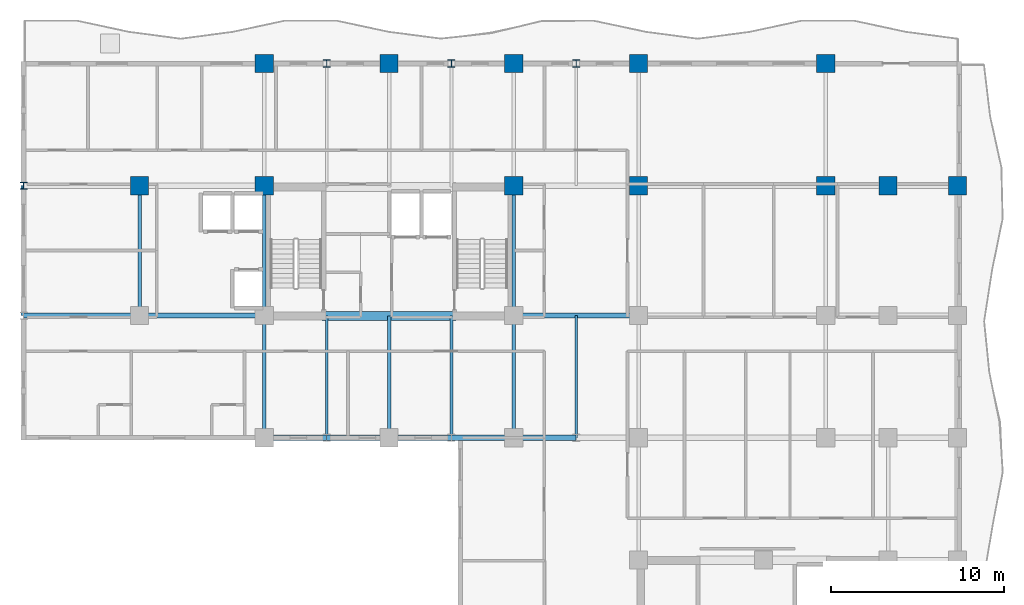
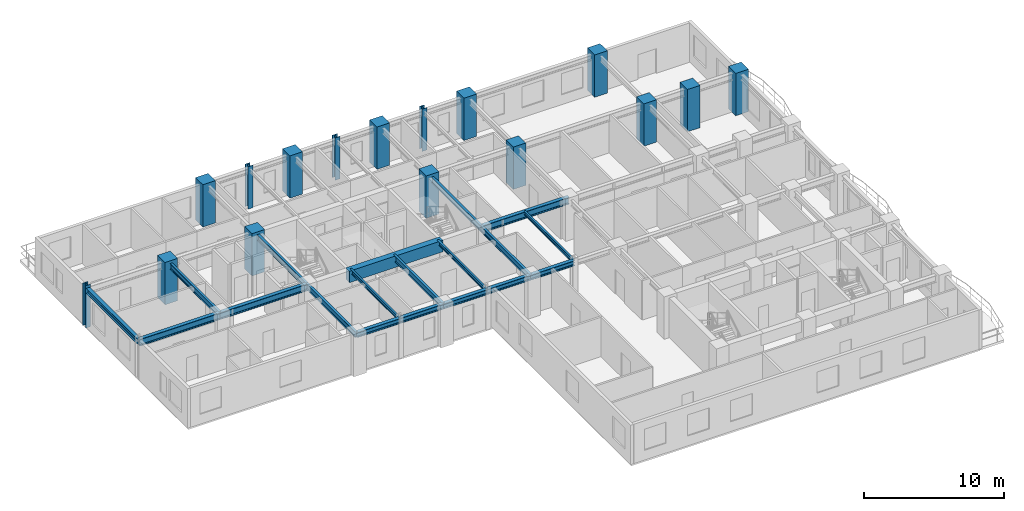
# One storey, part 2 of 12: 19 beams, 16 columns.
"""IFC4 building model written with IfcOpenShell, lengths in metres."""

from ifc_helpers import new_model, si_unit, direction, frame, origin, origin_2d, place, context, subcontext, project, spatial, rectangle, i_section, extrude, source, transform, mapped, material, material_profile, profile_set, type_object, element, save


model = new_model("IFC4")

# Units and contexts
model_context = context("Model", 3, precision=1e-05, world=origin(), true_north=direction((0.0, 1.0)))
body_context = subcontext(model_context, "Body", "Model", "MODEL_VIEW")
ifc_project = project(units=[si_unit("LENGTHUNIT", "METRE"), si_unit("AREAUNIT", "SQUARE_METRE"), si_unit("VOLUMEUNIT", "CUBIC_METRE"), si_unit("PLANEANGLEUNIT", "RADIAN"), si_unit("MASSUNIT", "GRAM", prefix="KILO")], contexts=[model_context])

# Site, building, storey
site_placement = place(None, origin())
site = spatial("IfcSite", under=ifc_project, at=site_placement, CompositionType="ELEMENT")
building_placement = place(site_placement, origin())
building = spatial("IfcBuilding", under=site, at=building_placement, Name="Kaliganga Portal Commons", CompositionType="ELEMENT")
storey_placement = place(building_placement, frame((0.0, 0.0, 147.60009765625)))
storey = spatial("IfcBuildingStorey", under=building, at=storey_placement, Name="L37", CompositionType="ELEMENT", Elevation=147.60009765625)

# Columns
ifc_material_1 = material(Name="Concrete C60/75", Category="concrete")
ifc_material_profile_1 = material_profile(ifc_material_1, rectangle(XDim=1.050048828125, YDim=1.050048828125, at=origin_2d()), Name="RC 1050x1050")
ifc_profile_set_1 = profile_set([ifc_material_profile_1], Name="Concrete C60/75")
column_type_1 = type_object("IfcColumnType", Name="COL-MEGA-Z3", PredefinedType="COLUMN", material=ifc_profile_set_1)
shared_shape_1 = source(origin(), body_context, "Body", "SweptSolid", [
    extrude(rectangle(XDim=1.050048828125, YDim=1.050048828125, at=origin_2d()), origin(), (0.0, 0.0, 1.0), 3.699951171875),
])
for number, where, z_axis, x_axis, name in (
    (1, (7.199951171875, 36.14990234375, 0.0), (0.0, 0.0, 1.0), (1.0, 0.0, 0.0), "Column MC-04 L37"),
    (2, (14.39990234375, 36.14990234375, 0.0), (0.0, 0.0, 1.0), (1.0, 0.0, 0.0), "Column MC-04 L37"),
    (3, (14.39990234375, 43.199951171875, 0.0), (0.0, 0.0, 1.0), (1.0, 0.0, 0.0), "Column MC-04 L37"),
    (4, (21.60009765625, 43.199951171875, 0.0), (0.0, 0.0, 1.0), (1.0, 0.0, 0.0), "Column MC-04 L37"),
    (5, (28.800048828125, 36.14990234375, 0.0), (0.0, 0.0, 1.0), (1.0, 0.0, 0.0), "Column MC-04 L37"),
    (6, (28.800048828125, 43.199951171875, 0.0), (0.0, 0.0, 1.0), (1.0, 0.0, 0.0), "Column MC-04 L37"),
    (7, (36.0, 43.199951171875, 0.0), (0.0, 0.0, 1.0), (1.0, 0.0, 0.0), "Column MC-04 L37"),
    (8, (36.0, 36.14990234375, 0.0), (0.0, 0.0, 1.0), (1.0, 0.0, 0.0), "Column MC-04 L37"),
    (9, (46.800048828125, 36.14990234375, 0.0), (0.0, 0.0, 1.0), (1.0, 0.0, 0.0), "Column MC-04 L37"),
    (10, (46.800048828125, 43.199951171875, 0.0), (0.0, 0.0, 1.0), (1.0, 0.0, 0.0), "Column MC-04 L37"),
    (11, (50.39990234375, 36.14990234375, 0.0), (0.0, 0.0, 1.0), (1.0, 0.0, 0.0), "Column MC-04 L37"),
    (12, (54.39990234375, 36.14990234375, 0.0), (0.0, 0.0, 1.0), (1.0, 0.0, 0.0), "Column MC-04 L37"),
):
    element("IfcColumn", number, at=place(storey_placement, frame(where, z_axis=z_axis, x_axis=x_axis)), inside=storey, type_object=column_type_1, Name=name, PredefinedType="COLUMN", context=body_context, shape_type="MappedRepresentation", body=[
        mapped(shared_shape_1, transform((0.0, 0.0, 0.0), x_axis=(1.0, 0.0, 0.0), y_axis=(0.0, 1.0, 0.0), z_axis=(0.0, 0.0, 1.0), scale=1.0)),
    ])
ifc_material_2 = material(Name="Structural steel S460M", Category="steel")
ifc_material_profile_2 = material_profile(ifc_material_2, i_section(OverallWidth=0.404052734375, OverallDepth=0.4140625, WebThickness=0.0205078125, FlangeThickness=0.028076171875, FilletRadius=0.014892578125, at=origin_2d()), Name="HD 400x347")
ifc_profile_set_2 = profile_set([ifc_material_profile_2], Name="Structural steel S460M wide-flange")
column_type_2 = type_object("IfcColumnType", Name="COL-TUBE-B3", PredefinedType="COLUMN", material=ifc_profile_set_2)
shared_shape_2 = source(origin(), body_context, "Body", "SweptSolid", [
    extrude(i_section(OverallWidth=0.404052734375, OverallDepth=0.4140625, WebThickness=0.0205078125, FlangeThickness=0.028076171875, FilletRadius=0.014892578125, at=origin_2d()), origin(), (0.0, 0.0, 1.0), 3.699951171875),
])
for number, where, z_axis, x_axis, name in (
    (13, (0.5, 36.14990234375, 0.0), (0.0, 0.0, 1.0), (1.0, 0.0, 0.0), "Column TC-03 L37"),
    (14, (18.0, 43.199951171875, 0.0), (0.0, 0.0, 1.0), (1.0, 0.0, 0.0), "Column TC-03 L37"),
    (15, (25.199951171875, 43.199951171875, 0.0), (0.0, 0.0, 1.0), (1.0, 0.0, 0.0), "Column TC-03 L37"),
    (16, (32.39990234375, 43.199951171875, 0.0), (0.0, 0.0, 1.0), (1.0, 0.0, 0.0), "Column TC-03 L37"),
):
    element("IfcColumn", number, at=place(storey_placement, frame(where, z_axis=z_axis, x_axis=x_axis)), inside=storey, type_object=column_type_2, Name=name, PredefinedType="COLUMN", context=body_context, shape_type="MappedRepresentation", body=[
        mapped(shared_shape_2, transform((0.0, 0.0, 0.0), x_axis=(1.0, 0.0, 0.0), y_axis=(0.0, 1.0, 0.0), z_axis=(0.0, 0.0, 1.0), scale=1.0)),
    ])

# Beams
ifc_material_3 = material(Name="Concrete C50/60", Category="concrete")
ifc_material_profile_3 = material_profile(ifc_material_3, rectangle(XDim=0.5, YDim=1.0, at=origin_2d()), Name="RC 500x1000")
ifc_profile_set_3 = profile_set([ifc_material_profile_3], Name="Concrete C50/60")
beam_type_1 = type_object("IfcBeamType", Name="BM-CPL-1000", PredefinedType="LINTEL", material=ifc_profile_set_3)
shared_shape_3 = source(origin(), body_context, "Body", "SweptSolid", [
    extrude(rectangle(XDim=0.5, YDim=1.0, at=origin_2d()), origin(), (0.0, 0.0, 1.0), 7.739990234375),
])
beam_1_placement = place(storey_placement, frame((17.72998046875, 28.625, 2.9599609375), z_axis=(1.0, 0.0, 0.0), x_axis=(0.0, 1.0, 0.0)))
element("IfcBeam", 17, at=beam_1_placement, inside=storey, type_object=beam_type_1, Name="BM CPL COREA L37 S", PredefinedType="LINTEL", context=body_context, shape_type="MappedRepresentation", body=[
    mapped(shared_shape_3, transform((0.0, 0.0, 0.0), x_axis=(1.0, 0.0, 0.0), y_axis=(0.0, 1.0, 0.0), z_axis=(0.0, 0.0, 1.0), scale=1.0)),
])
ifc_material_4 = material(Name="Structural steel S355J2", Category="steel")
ifc_material_profile_4 = material_profile(ifc_material_4, i_section(OverallWidth=0.199951171875, OverallDepth=0.5, WebThickness=0.01025390625, FlangeThickness=0.01611328125, FilletRadius=0.02099609375, at=origin_2d()), Name="IPE 500")
ifc_profile_set_4 = profile_set([ifc_material_profile_4], Name="Structural steel S355J2 wide-flange")
beam_type_2 = type_object("IfcBeamType", Name="BM-FLR-500", PredefinedType="BEAM", material=ifc_profile_set_4)
shared_shape_4 = source(origin(), body_context, "Body", "SweptSolid", [
    extrude(i_section(OverallWidth=0.199951171875, OverallDepth=0.5, WebThickness=0.01025390625, FlangeThickness=0.01611328125, FilletRadius=0.02099609375, at=origin_2d()), origin(), (0.0, 0.0, 1.0), 7.5),
])
for number, where, z_axis, x_axis, name in (
    (18, (7.199951171875, 28.64990234375, 3.2099609375), (0.0, 1.0, 0.0), (-1.0, 0.0, 0.0), "BM G L37 AW72"),
    (19, (14.39990234375, 28.64990234375, 3.2099609375), (0.0, 1.0, 0.0), (-1.0, 0.0, 0.0), "BM G L37 AM144"),
    (20, (28.800048828125, 28.64990234375, 3.2099609375), (0.0, 1.0, 0.0), (-1.0, 0.0, 0.0), "BM G L37 AM288"),
):
    element("IfcBeam", number, at=place(storey_placement, frame(where, z_axis=z_axis, x_axis=x_axis)), inside=storey, type_object=beam_type_2, Name=name, PredefinedType="BEAM", context=body_context, shape_type="MappedRepresentation", body=[
        mapped(shared_shape_4, transform((0.0, 0.0, 0.0), x_axis=(1.0, 0.0, 0.0), y_axis=(0.0, 1.0, 0.0), z_axis=(0.0, 0.0, 1.0), scale=1.0)),
    ])
shared_shape_5 = source(origin(), body_context, "Body", "SweptSolid", [
    extrude(i_section(OverallWidth=0.199951171875, OverallDepth=0.5, WebThickness=0.01025390625, FlangeThickness=0.01611328125, FilletRadius=0.02099609375, at=origin_2d()), origin(), (0.0, 0.0, 1.0), 7.0498046875),
])
for number, where, z_axis, x_axis, name in (
    (21, (14.39990234375, 21.60009765625, 3.2099609375), (0.0, 1.0, 0.0), (-1.0, 0.0, 0.0), "BM G L37 AS144"),
    (22, (28.800048828125, 21.60009765625, 3.2099609375), (0.0, 1.0, 0.0), (-1.0, 0.0, 0.0), "BM G L37 AS288"),
):
    element("IfcBeam", number, at=place(storey_placement, frame(where, z_axis=z_axis, x_axis=x_axis)), inside=storey, type_object=beam_type_2, Name=name, PredefinedType="BEAM", context=body_context, shape_type="MappedRepresentation", body=[
        mapped(shared_shape_5, transform((0.0, 0.0, 0.0), x_axis=(1.0, 0.0, 0.0), y_axis=(0.0, 1.0, 0.0), z_axis=(0.0, 0.0, 1.0), scale=1.0)),
    ])
ifc_material_profile_5 = material_profile(ifc_material_4, i_section(OverallWidth=0.300048828125, OverallDepth=0.449951171875, WebThickness=0.013916015625, FlangeThickness=0.02587890625, FilletRadius=0.027099609375, at=origin_2d()), Name="HE 450 B")
ifc_profile_set_5 = profile_set([ifc_material_profile_5], Name="Structural steel S355J2 wide-flange")
beam_type_3 = type_object("IfcBeamType", Name="BM-SPAND-450", PredefinedType="SPANDREL", material=ifc_profile_set_5)
shared_shape_6 = source(origin(), body_context, "Body", "SweptSolid", [
    extrude(i_section(OverallWidth=0.300048828125, OverallDepth=0.449951171875, WebThickness=0.013916015625, FlangeThickness=0.02587890625, FilletRadius=0.027099609375, at=origin_2d()), origin(), (0.0, 0.0, 1.0), 3.60009765625),
])
for number, where, z_axis, x_axis, name in (
    (23, (14.39990234375, 21.60009765625, 3.23486328125), (1.0, 0.0, 0.0), (0.0, 1.0, 0.0), "BM SP L37 AS 1"),
    (24, (18.0, 21.60009765625, 3.23486328125), (1.0, 0.0, 0.0), (0.0, 1.0, 0.0), "BM SP L37 AS 2"),
    (25, (25.199951171875, 21.60009765625, 3.23486328125), (1.0, 0.0, 0.0), (0.0, 1.0, 0.0), "BM SP L37 AS 4"),
):
    element("IfcBeam", number, at=place(storey_placement, frame(where, z_axis=z_axis, x_axis=x_axis)), inside=storey, type_object=beam_type_3, Name=name, PredefinedType="SPANDREL", context=body_context, shape_type="MappedRepresentation", body=[
        mapped(shared_shape_6, transform((0.0, 0.0, 0.0), x_axis=(1.0, 0.0, 0.0), y_axis=(0.0, 1.0, 0.0), z_axis=(0.0, 0.0, 1.0), scale=1.0)),
    ])
shared_shape_7 = source(origin(), body_context, "Body", "SweptSolid", [
    extrude(i_section(OverallWidth=0.300048828125, OverallDepth=0.449951171875, WebThickness=0.013916015625, FlangeThickness=0.02587890625, FilletRadius=0.027099609375, at=origin_2d()), origin(), (0.0, 0.0, 1.0), 3.599853515625),
])
for number, where, z_axis, x_axis, name in (
    (26, (21.60009765625, 21.60009765625, 3.23486328125), (1.0, 0.0, 0.0), (0.0, 1.0, 0.0), "BM SP L37 AS 3"),
    (27, (28.800048828125, 21.60009765625, 3.23486328125), (1.0, 0.0, 0.0), (0.0, 1.0, 0.0), "BM SP L37 AS 5"),
):
    element("IfcBeam", number, at=place(storey_placement, frame(where, z_axis=z_axis, x_axis=x_axis)), inside=storey, type_object=beam_type_3, Name=name, PredefinedType="SPANDREL", context=body_context, shape_type="MappedRepresentation", body=[
        mapped(shared_shape_7, transform((0.0, 0.0, 0.0), x_axis=(1.0, 0.0, 0.0), y_axis=(0.0, 1.0, 0.0), z_axis=(0.0, 0.0, 1.0), scale=1.0)),
    ])
ifc_material_profile_6 = material_profile(ifc_material_4, i_section(OverallWidth=0.159912109375, OverallDepth=0.330078125, WebThickness=0.007568359375, FlangeThickness=0.011474609375, FilletRadius=0.01806640625, at=origin_2d()), Name="IPE 330")
ifc_profile_set_6 = profile_set([ifc_material_profile_6], Name="Structural steel S355J2 wide-flange")
beam_type_4 = type_object("IfcBeamType", Name="BM-JST-330", PredefinedType="JOIST", material=ifc_profile_set_6)
shared_shape_8 = source(origin(), body_context, "Body", "SweptSolid", [
    extrude(i_section(OverallWidth=0.159912109375, OverallDepth=0.330078125, WebThickness=0.007568359375, FlangeThickness=0.011474609375, FilletRadius=0.01806640625, at=origin_2d()), origin(), (0.0, 0.0, 1.0), 7.0498046875),
])
beam_2_placement = place(storey_placement, frame((32.39990234375, 21.60009765625, 3.294921875), z_axis=(0.0, 1.0, 0.0), x_axis=(-1.0, 0.0, 0.0)))
element("IfcBeam", 28, at=beam_2_placement, inside=storey, type_object=beam_type_4, Name="BM G L37 AS324", PredefinedType="JOIST", context=body_context, shape_type="MappedRepresentation", body=[
    mapped(shared_shape_8, transform((0.0, 0.0, 0.0), x_axis=(1.0, 0.0, 0.0), y_axis=(0.0, 1.0, 0.0), z_axis=(0.0, 0.0, 1.0), scale=1.0)),
])
shared_shape_9 = source(origin(), body_context, "Body", "SweptSolid", [
    extrude(i_section(OverallWidth=0.300048828125, OverallDepth=0.449951171875, WebThickness=0.013916015625, FlangeThickness=0.02587890625, FilletRadius=0.027099609375, at=origin_2d()), origin(), (0.0, 0.0, 1.0), 7.5),
])
beam_3_placement = place(storey_placement, frame((0.5, 28.64990234375, 3.23486328125), z_axis=(0.0, 1.0, 0.0), x_axis=(-1.0, 0.0, 0.0)))
element("IfcBeam", 29, at=beam_3_placement, inside=storey, type_object=beam_type_3, Name="BM SP L37 AW", PredefinedType="SPANDREL", context=body_context, shape_type="MappedRepresentation", body=[
    mapped(shared_shape_9, transform((0.0, 0.0, 0.0), x_axis=(1.0, 0.0, 0.0), y_axis=(0.0, 1.0, 0.0), z_axis=(0.0, 0.0, 1.0), scale=1.0)),
])
ifc_material_profile_7 = material_profile(ifc_material_4, i_section(OverallWidth=0.300048828125, OverallDepth=0.60009765625, WebThickness=0.015380859375, FlangeThickness=0.030029296875, FilletRadius=0.027099609375, at=origin_2d()), Name="HE 600 B")
ifc_profile_set_7 = profile_set([ifc_material_profile_7], Name="Structural steel S355J2 wide-flange")
beam_type_5 = type_object("IfcBeamType", Name="BM-GIRD-600", PredefinedType="USERDEFINED", material=ifc_profile_set_7)
shared_shape_10 = source(origin(), body_context, "Body", "SweptSolid", [
    extrude(i_section(OverallWidth=0.300048828125, OverallDepth=0.60009765625, WebThickness=0.015380859375, FlangeThickness=0.030029296875, FilletRadius=0.027099609375, at=origin_2d()), origin(), (0.0, 0.0, 1.0), 6.699951171875),
])
beam_4_placement = place(storey_placement, frame((0.5, 28.64990234375, 3.159912109375), z_axis=(1.0, 0.0, 0.0), x_axis=(0.0, 1.0, 0.0)))
element("IfcBeam", 30, at=beam_4_placement, inside=storey, type_object=beam_type_5, Name="BM G L37 WAH_S 1", ObjectType="GIRDER", PredefinedType="USERDEFINED", context=body_context, shape_type="MappedRepresentation", body=[
    mapped(shared_shape_10, transform((0.0, 0.0, 0.0), x_axis=(1.0, 0.0, 0.0), y_axis=(0.0, 1.0, 0.0), z_axis=(0.0, 0.0, 1.0), scale=1.0)),
])
shared_shape_11 = source(origin(), body_context, "Body", "SweptSolid", [
    extrude(i_section(OverallWidth=0.300048828125, OverallDepth=0.60009765625, WebThickness=0.015380859375, FlangeThickness=0.030029296875, FilletRadius=0.027099609375, at=origin_2d()), origin(), (0.0, 0.0, 1.0), 7.199951171875),
])
for number, where, z_axis, x_axis, name in (
    (31, (7.199951171875, 28.64990234375, 3.159912109375), (1.0, 0.0, 0.0), (0.0, 1.0, 0.0), "BM G L37 WAH_S 2"),
    (32, (28.800048828125, 28.64990234375, 3.159912109375), (1.0, 0.0, 0.0), (0.0, 1.0, 0.0), "BM G L37 WAE_S 1"),
):
    element("IfcBeam", number, at=place(storey_placement, frame(where, z_axis=z_axis, x_axis=x_axis)), inside=storey, type_object=beam_type_5, Name=name, ObjectType="GIRDER", PredefinedType="USERDEFINED", context=body_context, shape_type="MappedRepresentation", body=[
        mapped(shared_shape_11, transform((0.0, 0.0, 0.0), x_axis=(1.0, 0.0, 0.0), y_axis=(0.0, 1.0, 0.0), z_axis=(0.0, 0.0, 1.0), scale=1.0)),
    ])
shared_shape_12 = source(origin(), body_context, "Body", "SweptSolid", [
    extrude(i_section(OverallWidth=0.159912109375, OverallDepth=0.330078125, WebThickness=0.007568359375, FlangeThickness=0.011474609375, FilletRadius=0.01806640625, at=origin_2d()), origin(), (0.0, 0.0, 1.0), 7.02490234375),
])
for number, where, z_axis, x_axis, name in (
    (33, (18.0, 21.60009765625, 3.294921875), (0.0, 1.0, 0.0), (-1.0, 0.0, 0.0), "BM G L37 AS180"),
    (34, (25.199951171875, 21.60009765625, 3.294921875), (0.0, 1.0, 0.0), (-1.0, 0.0, 0.0), "BM G L37 AS252"),
):
    element("IfcBeam", number, at=place(storey_placement, frame(where, z_axis=z_axis, x_axis=x_axis)), inside=storey, type_object=beam_type_4, Name=name, PredefinedType="JOIST", context=body_context, shape_type="MappedRepresentation", body=[
        mapped(shared_shape_12, transform((0.0, 0.0, 0.0), x_axis=(1.0, 0.0, 0.0), y_axis=(0.0, 1.0, 0.0), z_axis=(0.0, 0.0, 1.0), scale=1.0)),
    ])
shared_shape_13 = source(origin(), body_context, "Body", "SweptSolid", [
    extrude(i_section(OverallWidth=0.199951171875, OverallDepth=0.5, WebThickness=0.01025390625, FlangeThickness=0.01611328125, FilletRadius=0.02099609375, at=origin_2d()), origin(), (0.0, 0.0, 1.0), 7.02490234375),
])
beam_5_placement = place(storey_placement, frame((21.60009765625, 21.60009765625, 3.2099609375), z_axis=(0.0, 1.0, 0.0), x_axis=(-1.0, 0.0, 0.0)))
element("IfcBeam", 35, at=beam_5_placement, inside=storey, type_object=beam_type_2, Name="BM G L37 AS216", PredefinedType="BEAM", context=body_context, shape_type="MappedRepresentation", body=[
    mapped(shared_shape_13, transform((0.0, 0.0, 0.0), x_axis=(1.0, 0.0, 0.0), y_axis=(0.0, 1.0, 0.0), z_axis=(0.0, 0.0, 1.0), scale=1.0)),
])

save(model, "model.ifc")
